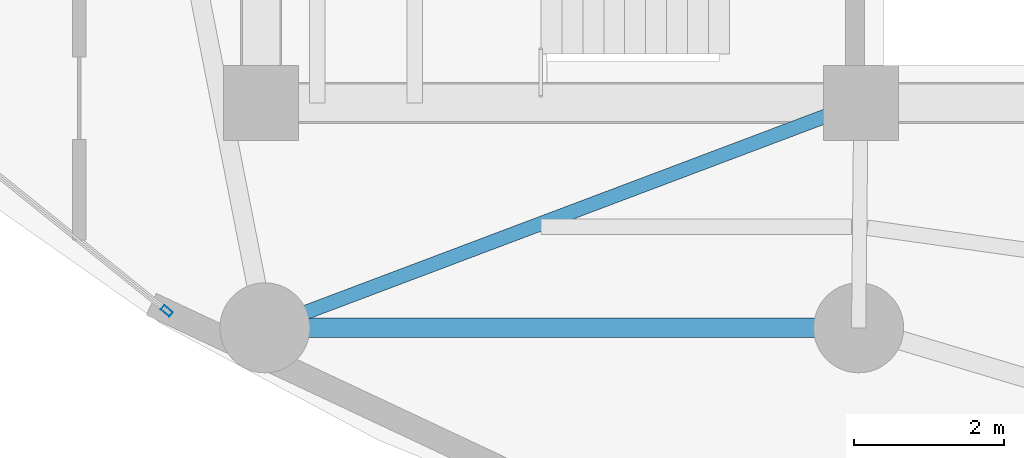
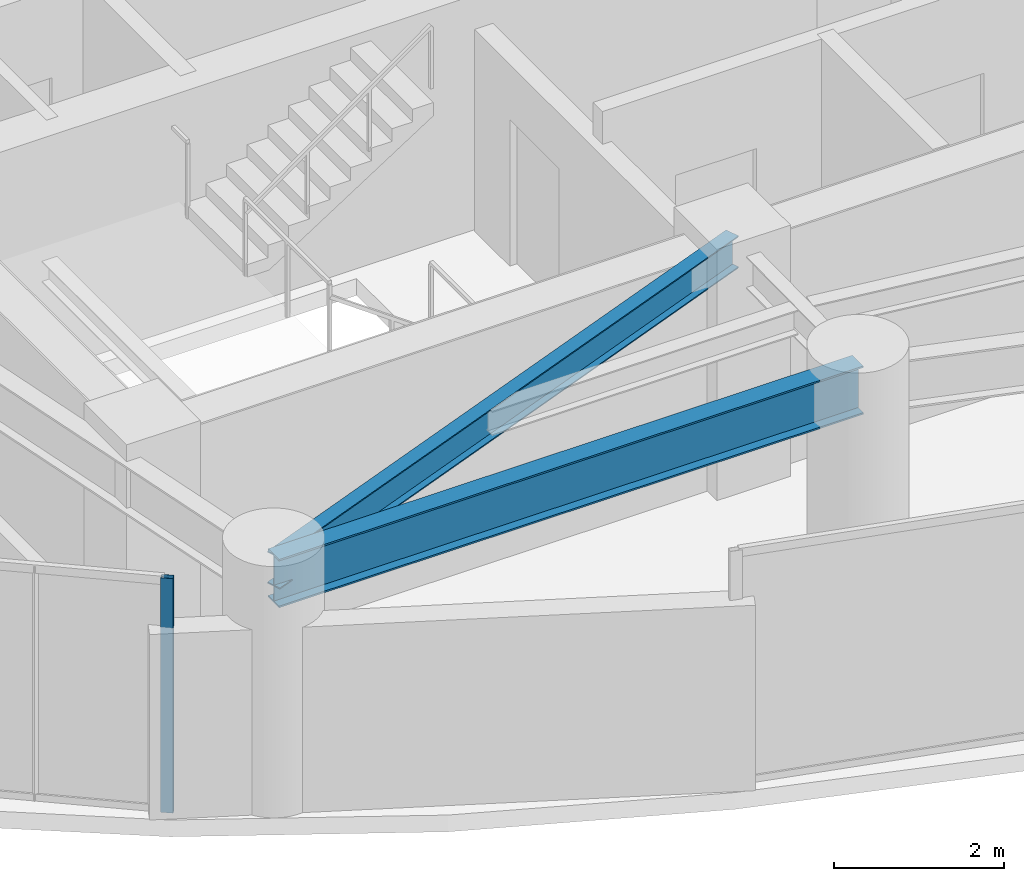
# One storey, part 2 of 34: 2 beams, 1 member, 1 element without a shape of its own.
"""IFC4 building model written with IfcOpenShell, lengths in metres."""

from ifc_helpers import new_model, si_unit, direction, frame, origin, origin_2d, place, context, subcontext, project, spatial, hollow_rectangle, i_section, extrude, material, layer, layer_set, material_profile, profile_set, type_object, element, aggregate, save


model = new_model("IFC4")

# Units and contexts
model_context = context("Model", 3, precision=1e-05, world=origin(), true_north=direction((0.0, 1.0)))
body_context = subcontext(model_context, "Body", "Model", "MODEL_VIEW")
ifc_project = project(units=[si_unit("LENGTHUNIT", "METRE"), si_unit("AREAUNIT", "SQUARE_METRE"), si_unit("VOLUMEUNIT", "CUBIC_METRE"), si_unit("PLANEANGLEUNIT", "RADIAN"), si_unit("MASSUNIT", "GRAM", prefix="KILO")], contexts=[model_context])

# Site, building, storey
site_placement = place(None, origin())
site = spatial("IfcSite", under=ifc_project, at=site_placement, CompositionType="ELEMENT")
building_placement = place(site_placement, origin())
building = spatial("IfcBuilding", under=site, at=building_placement, Name="Kazevale Care Tower and Concert Hall", CompositionType="ELEMENT")
storey_placement = place(building_placement, frame((0.0, 0.0, 171.0)))
storey = spatial("IfcBuildingStorey", under=building, at=storey_placement, Name="L45", CompositionType="ELEMENT", Elevation=171.0)

# Curtain wall, member
ifc_material_1 = material(Name="Aluminium 6063-T6 and Low-E Glass", Category="aluminium")
ifc_layer = layer(ifc_material_1, 0.179931640625)
ifc_layer_set = layer_set([ifc_layer], Name="Aluminium 6063-T6 and Low-E Glass")
curtain_wall_type = type_object("IfcCurtainWallType", Name="Sheltered Concave Balcony Curtain Wall CW-5", PredefinedType="NOTDEFINED", material=ifc_layer_set)
curtain_wall_placement = place(storey_placement, origin())
curtain_wall = element("IfcCurtainWall", 1, at=curtain_wall_placement, inside=storey, type_object=curtain_wall_type, Name="cw:L45:f10", PredefinedType="NOTDEFINED")
ifc_material_2 = material(Name="Aluminium 6063-T6", Category="aluminium")
ifc_material_profile_1 = material_profile(ifc_material_2, hollow_rectangle(XDim=0.074951171875, YDim=0.14990234375, WallThickness=0.00390625, at=origin_2d()), Name="ALU75x150x4")
ifc_profile_set_1 = profile_set([ifc_material_profile_1], Name="Aluminium 6063-T6")
member_type = type_object("IfcMemberType", Name="CW-5 Mullion ALU75x150x4", PredefinedType="MULLION", material=ifc_profile_set_1)
member_placement = place(storey_placement, frame((20.74072265625, 20.826416015625, 0.0), z_axis=(0.0, 0.0, 1.0), x_axis=(-0.626905357502, -0.779095419531, 0.0)))
member = element("IfcMember", 2, at=member_placement, type_object=member_type, Name="CW-5 mullion 1", PredefinedType="MULLION", context=body_context, shape_type="SweptSolid", body=[
    extrude(hollow_rectangle(XDim=0.074951171875, YDim=0.14990234375, WallThickness=0.00390625, at=origin_2d()), origin(), (0.0, 0.0, 1.0), 3.360107421875),
])
aggregate(curtain_wall, [member])

# Beams
ifc_material_3 = material(Name="Steel ASTM A572 Gr 50", Category="steel")
ifc_material_profile_2 = material_profile(ifc_material_3, i_section(OverallWidth=0.19091796875, OverallDepth=0.4599609375, WebThickness=0.010009765625, FlangeThickness=0.01611328125, at=origin_2d()), Name="W460x82")
ifc_profile_set_2 = profile_set([ifc_material_profile_2], Name="Steel ASTM A572 Gr 50")
beam_type_1 = type_object("IfcBeamType", Name="Radial Floor Beam W460x82", PredefinedType="BEAM", material=ifc_profile_set_2)
beam_1_placement = place(storey_placement, frame((30.0, 23.60009765625, 3.1298828125), z_axis=(-0.935601002663, -0.353059150592, 0.0), x_axis=(0.353059150592, -0.935601002663, 0.0)))
element("IfcBeam", 3, at=beam_1_placement, inside=storey, type_object=beam_type_1, Name="beam:L45:rad:10", PredefinedType="BEAM", context=body_context, shape_type="SweptSolid", body=[
    extrude(i_section(OverallWidth=0.19091796875, OverallDepth=0.4599609375, WebThickness=0.010009765625, FlangeThickness=0.01611328125, at=origin_2d()), origin(), (0.0, 0.0, 1.0), 8.4970703125),
])
ifc_material_profile_3 = material_profile(ifc_material_3, i_section(OverallWidth=0.256103515625, OverallDepth=0.693115234375, WebThickness=0.014404296875, FlangeThickness=0.023681640625, at=origin_2d()), Name="W690x170")
ifc_profile_set_3 = profile_set([ifc_material_profile_3], Name="Steel ASTM A572 Gr 50")
beam_type_2 = type_object("IfcBeamType", Name="Waist Ring Beam W690x170", PredefinedType="BEAM", material=ifc_profile_set_3)
beam_2_placement = place(storey_placement, frame((22.050048828125, 20.60009765625, 3.013427734375), z_axis=(1.0, 0.0, 0.0), x_axis=(0.0, 1.0, 0.0)))
element("IfcBeam", 4, at=beam_2_placement, inside=storey, type_object=beam_type_2, Name="beam:L45:ring:10", PredefinedType="BEAM", context=body_context, shape_type="SweptSolid", body=[
    extrude(i_section(OverallWidth=0.256103515625, OverallDepth=0.693115234375, WebThickness=0.014404296875, FlangeThickness=0.023681640625, at=origin_2d()), origin(), (0.0, 0.0, 1.0), 7.919921875),
])

save(model, "model.ifc")
